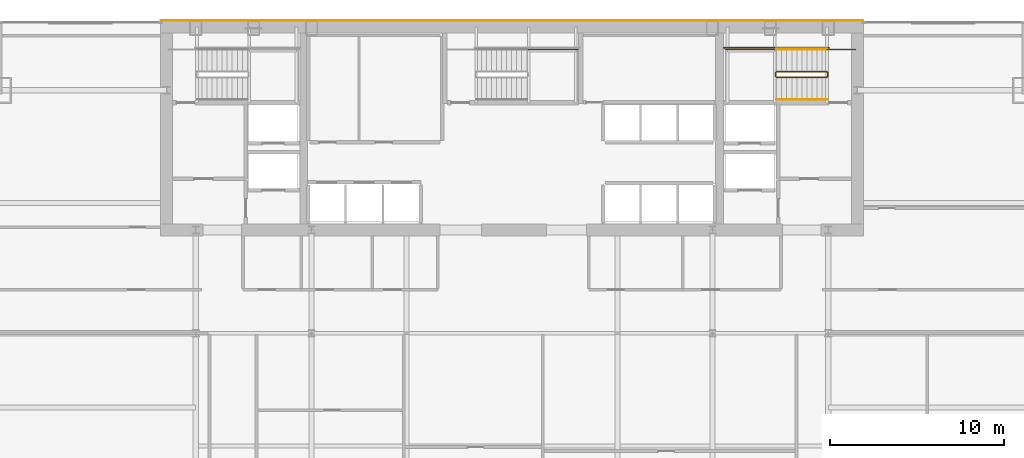
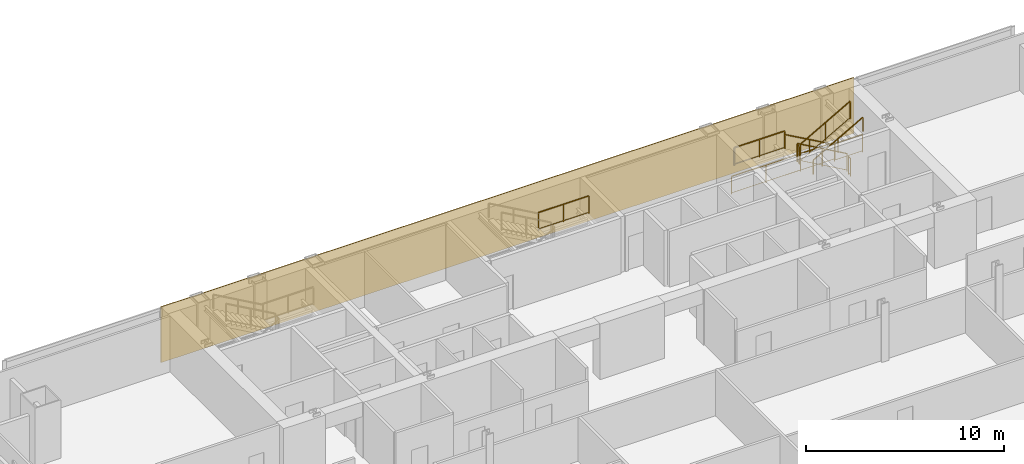
# One storey, part 31 of 32: 10 railings, 1 covering.
"""IFC4 building model written with IfcOpenShell, lengths in metres."""

from ifc_helpers import new_model, si_unit, direction, frame, origin, origin_2d, place, context, subcontext, project, spatial, polyline, rectangle, outline, extrude, material, layer, layer_set, type_object, element, save


model = new_model("IFC4")

# Units and contexts
model_context = context("Model", 3, precision=1e-05, world=origin(), true_north=direction((0.0, 1.0)))
body_context = subcontext(model_context, "Body", "Model", "MODEL_VIEW")
ifc_project = project(units=[si_unit("LENGTHUNIT", "METRE"), si_unit("AREAUNIT", "SQUARE_METRE"), si_unit("VOLUMEUNIT", "CUBIC_METRE"), si_unit("PLANEANGLEUNIT", "RADIAN"), si_unit("MASSUNIT", "GRAM", prefix="KILO")], contexts=[model_context])

# Site, building, storey
site_placement = place(None, origin())
site = spatial("IfcSite", under=ifc_project, at=site_placement, CompositionType="ELEMENT")
building_placement = place(site_placement, origin())
building = spatial("IfcBuilding", under=site, at=building_placement, Name="Khoronbel Lancet Exchange", CompositionType="ELEMENT")
storey_placement = place(building_placement, frame((0.0, 0.0, 125.39990234375)))
storey = spatial("IfcBuildingStorey", under=building, at=storey_placement, Name="L30", CompositionType="ELEMENT", Elevation=125.39990234375)

# Covering
ifc_material_1 = material(Name="Honed Egyptian Limestone & Bronze Rainscreen", Category="masonry")
ifc_layer = layer(ifc_material_1, 0.050048828125, Name="Honed Egyptian Limestone & Bronze Rainscreen")
ifc_layer_set = layer_set([ifc_layer], Name="Honed Egyptian Limestone & Bronze Rainscreen")
covering_type = type_object("IfcCoveringType", Name="COV-CLAD1", PredefinedType="CLADDING", material=ifc_layer_set)
covering_placement = place(storey_placement, origin())
element("IfcCovering", 1, at=covering_placement, inside=storey, type_object=covering_type, Name="Level L30 north rear-core stone and bronze rainscreen cladding", PredefinedType="CLADDING", context=body_context, shape_type="SweptSolid", body=[
    extrude(outline(polyline([(16.199951171875, 53.699951171875), (56.699951171875, 53.699951171875), (56.699951171875, 53.75), (16.199951171875, 53.75), (16.199951171875, 53.699951171875)])), origin(), (0.0, 0.0, 1.0), 3.440185546875),
])

# Railings
ifc_material_2 = material(Name="Painted Steel Balustrade", Category="steel")
railing_type_1 = type_object("IfcRailingType", Name="RL-STG110", PredefinedType="GUARDRAIL", material=ifc_material_2)
railing_1_placement = place(storey_placement, frame((54.60009765625, 50.77001953125, 0.163818359375)))
element("IfcRailing", 2, at=railing_1_placement, inside=storey, type_object=railing_type_1, Name="L30 ST2 stair guard 1", PredefinedType="GUARDRAIL", context=body_context, shape_type="SweptSolid", body=[
    extrude(rectangle(XDim=0.048095703125, YDim=0.048095703125, at=origin_2d()), frame((0.0, 0.0, 1.09619140625), z_axis=(-0.870946286338, 0.0, 0.49137823142), x_axis=(0.0, -1.0, 0.0)), (0.0, 0.0, 1.0), 3.329833984375),
    extrude(rectangle(XDim=0.02392578125, YDim=0.02392578125, at=origin_2d()), frame((0.0, 0.0, 0.080078125), z_axis=(-0.870946286338, 0.0, 0.49137823142), x_axis=(0.0, -1.0, 0.0)), (0.0, 0.0, 1.0), 3.329833984375),
    extrude(rectangle(XDim=0.0419921875, YDim=0.0419921875, at=origin_2d()), origin(), (0.0, 0.0, 1.0), 1.072021484375),
    extrude(rectangle(XDim=0.0419921875, YDim=0.0419921875, at=origin_2d()), frame((-1.4501953125, 0.0, 0.818115234375)), (0.0, 0.0, 1.0), 1.072021484375),
    extrude(rectangle(XDim=0.0419921875, YDim=0.0419921875, at=origin_2d()), frame((-2.900146484375, 0.0, 1.63623046875)), (0.0, 0.0, 1.0), 1.072021484375),
])
railing_2_placement = place(storey_placement, frame((51.64990234375, 50.719970703125, 1.800048828125)))
element("IfcRailing", 3, at=railing_2_placement, inside=storey, type_object=railing_type_1, Name="L30 ST2 stair guard 2", PredefinedType="GUARDRAIL", context=body_context, shape_type="SweptSolid", body=[
    extrude(rectangle(XDim=0.048095703125, YDim=0.048095703125, at=origin_2d()), frame((0.0, 0.0, 1.09619140625), z_axis=(0.0, -1.0, 0.0), x_axis=(1.0, 0.0, 0.0)), (0.0, 0.0, 1.0), 0.219970703125),
    extrude(rectangle(XDim=0.02392578125, YDim=0.02392578125, at=origin_2d()), frame((0.0, 0.0, 0.080078125), z_axis=(0.0, -1.0, 0.0), x_axis=(1.0, 0.0, 0.0)), (0.0, 0.0, 1.0), 0.219970703125),
    extrude(rectangle(XDim=0.0419921875, YDim=0.0419921875, at=origin_2d()), origin(), (0.0, 0.0, 1.0), 1.072021484375),
    extrude(rectangle(XDim=0.0419921875, YDim=0.0419921875, at=origin_2d()), frame((0.0, -0.219970703125, 0.0)), (0.0, 0.0, 1.0), 1.072021484375),
])
railing_3_placement = place(storey_placement, frame((51.699951171875, 52.050048828125, 1.800048828125)))
element("IfcRailing", 4, at=railing_3_placement, inside=storey, type_object=railing_type_1, Name="L30 ST2 stair guard 3", PredefinedType="GUARDRAIL", context=body_context, shape_type="SweptSolid", body=[
    extrude(rectangle(XDim=0.048095703125, YDim=0.048095703125, at=origin_2d()), frame((0.0, 0.0, 1.09619140625), z_axis=(-1.0, 0.0, 0.0), x_axis=(0.0, -1.0, 0.0)), (0.0, 0.0, 1.0), 2.949951171875),
    extrude(rectangle(XDim=0.02392578125, YDim=0.02392578125, at=origin_2d()), frame((0.0, 0.0, 0.080078125), z_axis=(-1.0, 0.0, 0.0), x_axis=(0.0, -1.0, 0.0)), (0.0, 0.0, 1.0), 2.949951171875),
    extrude(rectangle(XDim=0.0419921875, YDim=0.0419921875, at=origin_2d()), origin(), (0.0, 0.0, 1.0), 1.072021484375),
    extrude(rectangle(XDim=0.0419921875, YDim=0.0419921875, at=origin_2d()), frame((-1.47509765625, 0.0, 0.0)), (0.0, 0.0, 1.0), 1.072021484375),
    extrude(rectangle(XDim=0.0419921875, YDim=0.0419921875, at=origin_2d()), frame((-2.949951171875, 0.0, 0.0)), (0.0, 0.0, 1.0), 1.072021484375),
])
railing_4_placement = place(storey_placement, frame((51.699951171875, 50.449951171875, 1.963623046875)))
element("IfcRailing", 5, at=railing_4_placement, inside=storey, type_object=railing_type_1, Name="L30 ST2 stair guard 4", PredefinedType="GUARDRAIL", context=body_context, shape_type="SweptSolid", body=[
    extrude(rectangle(XDim=0.048095703125, YDim=0.048095703125, at=origin_2d()), frame((0.0, 0.0, 1.09619140625), z_axis=(0.870914908162, 0.0, 0.491433843708), x_axis=(0.0, 1.0, 0.0)), (0.0, 0.0, 1.0), 3.330078125),
    extrude(rectangle(XDim=0.02392578125, YDim=0.02392578125, at=origin_2d()), frame((0.0, 0.0, 0.080078125), z_axis=(0.870914908162, 0.0, 0.491433843708), x_axis=(0.0, 1.0, 0.0)), (0.0, 0.0, 1.0), 3.330078125),
    extrude(rectangle(XDim=0.0419921875, YDim=0.0419921875, at=origin_2d()), origin(), (0.0, 0.0, 1.0), 1.072021484375),
    extrude(rectangle(XDim=0.0419921875, YDim=0.0419921875, at=origin_2d()), frame((1.4501953125, 0.0, 0.818359375)), (0.0, 0.0, 1.0), 1.072021484375),
    extrude(rectangle(XDim=0.0419921875, YDim=0.0419921875, at=origin_2d()), frame((2.900146484375, 0.0, 1.636474609375)), (0.0, 0.0, 1.0), 1.072021484375),
])
railing_5_placement = place(storey_placement, frame((54.64990234375, 50.719970703125, 0.0)))
element("IfcRailing", 6, at=railing_5_placement, inside=storey, type_object=railing_type_1, Name="L30 ST2 stair guard 5", PredefinedType="GUARDRAIL", context=body_context, shape_type="SweptSolid", body=[
    extrude(rectangle(XDim=0.048095703125, YDim=0.048095703125, at=origin_2d()), frame((0.0, 0.0, 1.09619140625), z_axis=(0.0, -1.0, 0.0), x_axis=(1.0, 0.0, 0.0)), (0.0, 0.0, 1.0), 0.219970703125),
    extrude(rectangle(XDim=0.02392578125, YDim=0.02392578125, at=origin_2d()), frame((0.0, 0.0, 0.080078125), z_axis=(0.0, -1.0, 0.0), x_axis=(1.0, 0.0, 0.0)), (0.0, 0.0, 1.0), 0.219970703125),
    extrude(rectangle(XDim=0.0419921875, YDim=0.0419921875, at=origin_2d()), origin(), (0.0, 0.0, 1.0), 1.072021484375),
    extrude(rectangle(XDim=0.0419921875, YDim=0.0419921875, at=origin_2d()), frame((0.0, -0.219970703125, 0.0)), (0.0, 0.0, 1.0), 1.072021484375),
])
railing_6_placement = place(storey_placement, frame((56.25, 52.050048828125, 0.0)))
element("IfcRailing", 7, at=railing_6_placement, inside=storey, type_object=railing_type_1, Name="L30 ST2 stair guard 6", PredefinedType="GUARDRAIL", context=body_context, shape_type="SweptSolid", body=[
    extrude(rectangle(XDim=0.048095703125, YDim=0.048095703125, at=origin_2d()), frame((0.0, 0.0, 1.09619140625), z_axis=(-1.0, 0.0, 0.0), x_axis=(0.0, -1.0, 0.0)), (0.0, 0.0, 1.0), 1.64990234375),
    extrude(rectangle(XDim=0.02392578125, YDim=0.02392578125, at=origin_2d()), frame((0.0, 0.0, 0.080078125), z_axis=(-1.0, 0.0, 0.0), x_axis=(0.0, -1.0, 0.0)), (0.0, 0.0, 1.0), 1.64990234375),
    extrude(rectangle(XDim=0.0419921875, YDim=0.0419921875, at=origin_2d()), origin(), (0.0, 0.0, 1.0), 1.072021484375),
    extrude(rectangle(XDim=0.0419921875, YDim=0.0419921875, at=origin_2d()), frame((-1.64990234375, 0.0, 0.0)), (0.0, 0.0, 1.0), 1.072021484375),
])
railing_7_placement = place(storey_placement, frame((54.699951171875, 52.14990234375, 0.0)))
element("IfcRailing", 8, at=railing_7_placement, inside=storey, type_object=railing_type_1, Name="L30 ST2 stair guard 7", PredefinedType="GUARDRAIL", context=body_context, shape_type="SweptSolid", body=[
    extrude(rectangle(XDim=0.048095703125, YDim=0.048095703125, at=origin_2d()), frame((0.0, 0.0, 1.09619140625), z_axis=(-1.0, 0.0, 0.0), x_axis=(0.0, -1.0, 0.0)), (0.0, 0.0, 1.0), 6.050048828125),
    extrude(rectangle(XDim=0.02392578125, YDim=0.02392578125, at=origin_2d()), frame((0.0, 0.0, 0.080078125), z_axis=(-1.0, 0.0, 0.0), x_axis=(0.0, -1.0, 0.0)), (0.0, 0.0, 1.0), 6.050048828125),
    extrude(rectangle(XDim=0.0419921875, YDim=0.0419921875, at=origin_2d()), origin(), (0.0, 0.0, 1.0), 1.072021484375),
    extrude(rectangle(XDim=0.0419921875, YDim=0.0419921875, at=origin_2d()), frame((-2.0166015625, 0.0, 0.0)), (0.0, 0.0, 1.0), 1.072021484375),
    extrude(rectangle(XDim=0.0419921875, YDim=0.0419921875, at=origin_2d()), frame((-4.033447265625, 0.0, 0.0)), (0.0, 0.0, 1.0), 1.072021484375),
    extrude(rectangle(XDim=0.0419921875, YDim=0.0419921875, at=origin_2d()), frame((-6.050048828125, 0.0, 0.0)), (0.0, 0.0, 1.0), 1.072021484375),
])
railing_8_placement = place(storey_placement, frame((37.300048828125, 52.050048828125, 1.800048828125)))
element("IfcRailing", 9, at=railing_8_placement, inside=storey, type_object=railing_type_1, Name="L30 ST3 stair guard 3", PredefinedType="GUARDRAIL", context=body_context, shape_type="SweptSolid", body=[
    extrude(rectangle(XDim=0.048095703125, YDim=0.048095703125, at=origin_2d()), frame((0.0, 0.0, 1.09619140625), z_axis=(1.0, 0.0, 0.0), x_axis=(0.0, 1.0, 0.0)), (0.0, 0.0, 1.0), 2.949951171875),
    extrude(rectangle(XDim=0.02392578125, YDim=0.02392578125, at=origin_2d()), frame((0.0, 0.0, 0.080078125), z_axis=(1.0, 0.0, 0.0), x_axis=(0.0, 1.0, 0.0)), (0.0, 0.0, 1.0), 2.949951171875),
    extrude(rectangle(XDim=0.0419921875, YDim=0.0419921875, at=origin_2d()), origin(), (0.0, 0.0, 1.0), 1.072021484375),
    extrude(rectangle(XDim=0.0419921875, YDim=0.0419921875, at=origin_2d()), frame((1.47509765625, 0.0, 0.0)), (0.0, 0.0, 1.0), 1.072021484375),
    extrude(rectangle(XDim=0.0419921875, YDim=0.0419921875, at=origin_2d()), frame((2.949951171875, 0.0, 0.0)), (0.0, 0.0, 1.0), 1.072021484375),
])
ifc_material_3 = material(Name="Brushed Stainless Steel 316", Category="steel")
railing_type_2 = type_object("IfcRailingType", Name="RL-STH92", PredefinedType="HANDRAIL", material=ifc_material_3)
railing_9_placement = place(storey_placement, frame((54.60009765625, 52.050048828125, 0.163818359375)))
element("IfcRailing", 10, at=railing_9_placement, inside=storey, type_object=railing_type_2, Name="L30 ST2 stair handrail 1", PredefinedType="HANDRAIL", context=body_context, shape_type="SweptSolid", body=[
    extrude(rectangle(XDim=0.048095703125, YDim=0.048095703125, at=origin_2d()), frame((0.0, 0.0, 0.8759765625), z_axis=(-0.870946286338, 0.0, 0.49137823142), x_axis=(0.0, -1.0, 0.0)), (0.0, 0.0, 1.0), 3.329833984375),
    extrude(rectangle(XDim=0.0419921875, YDim=0.0419921875, at=origin_2d()), origin(), (0.0, 0.0, 1.0), 0.851806640625),
    extrude(rectangle(XDim=0.0419921875, YDim=0.0419921875, at=origin_2d()), frame((-1.4501953125, 0.0, 0.818115234375)), (0.0, 0.0, 1.0), 0.851806640625),
    extrude(rectangle(XDim=0.0419921875, YDim=0.0419921875, at=origin_2d()), frame((-2.900146484375, 0.0, 1.63623046875)), (0.0, 0.0, 1.0), 0.851806640625),
])
railing_10_placement = place(storey_placement, frame((51.699951171875, 49.169921875, 1.963623046875)))
element("IfcRailing", 11, at=railing_10_placement, inside=storey, type_object=railing_type_2, Name="L30 ST2 stair handrail 2", PredefinedType="HANDRAIL", context=body_context, shape_type="SweptSolid", body=[
    extrude(rectangle(XDim=0.048095703125, YDim=0.048095703125, at=origin_2d()), frame((0.0, 0.0, 0.8759765625), z_axis=(0.870914908162, 0.0, 0.491433843708), x_axis=(0.0, 1.0, 0.0)), (0.0, 0.0, 1.0), 3.330078125),
    extrude(rectangle(XDim=0.0419921875, YDim=0.0419921875, at=origin_2d()), origin(), (0.0, 0.0, 1.0), 0.851806640625),
    extrude(rectangle(XDim=0.0419921875, YDim=0.0419921875, at=origin_2d()), frame((1.4501953125, 0.0, 0.818359375)), (0.0, 0.0, 1.0), 0.851806640625),
    extrude(rectangle(XDim=0.0419921875, YDim=0.0419921875, at=origin_2d()), frame((2.900146484375, 0.0, 1.636474609375)), (0.0, 0.0, 1.0), 0.851806640625),
])

save(model, "model.ifc")
